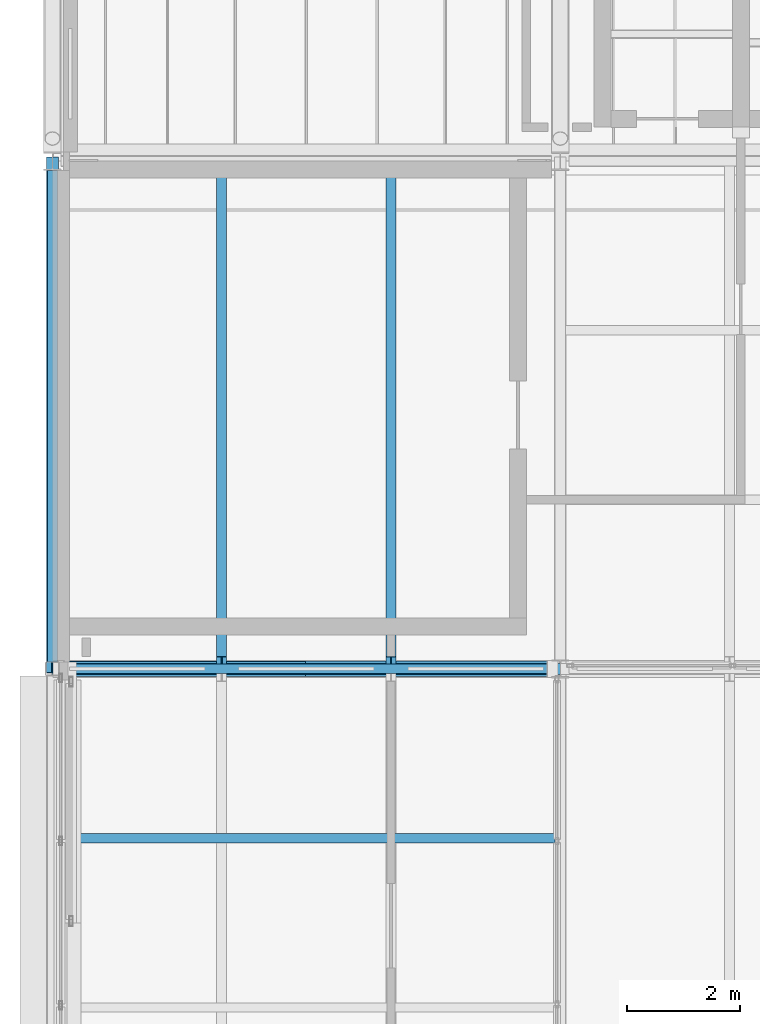
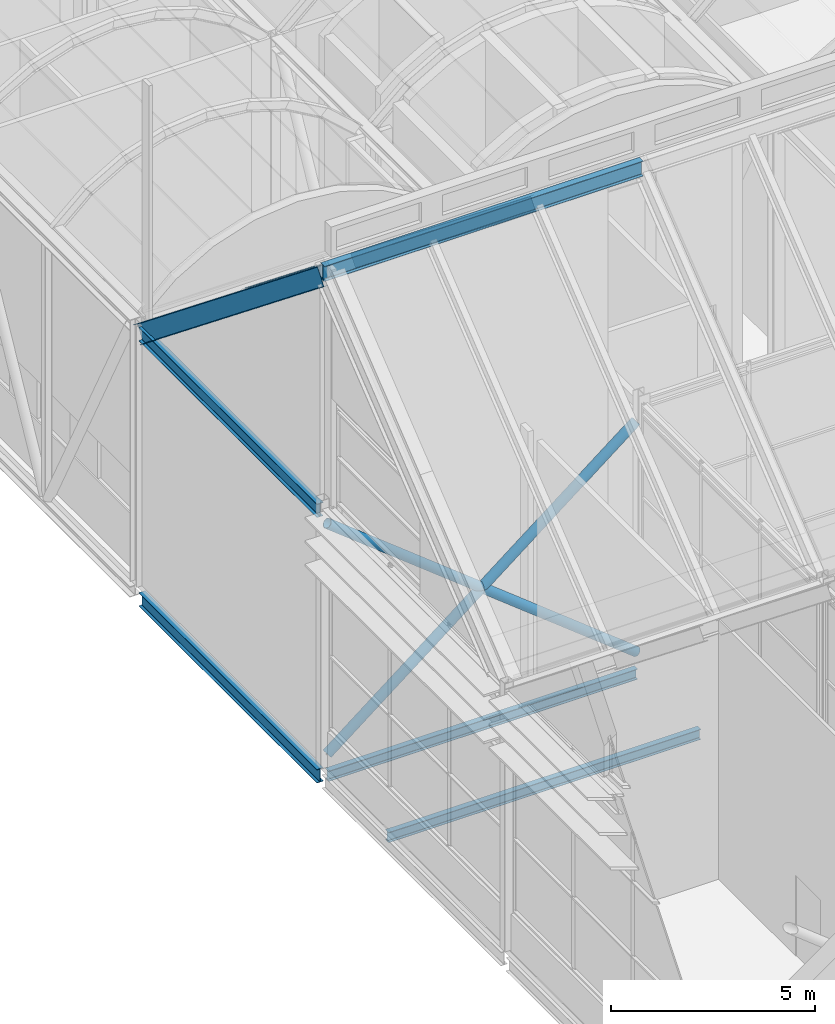
# One storey, part 40 of 144: 5 beams, 5 members.
"""IFC4 building model written with IfcOpenShell, lengths in metres."""

import ifcopenshell
import ifcopenshell.guid

model = None  # the IFC model being written
_history = None  # IfcOwnerHistory: only IFC2X3 demands one
_inside = {}  # id of a spatial element -> (the spatial element, [elements in it])
_under = {}  # id of a project, library or spatial element -> (it, [spatial elements below it])
_declared = {}  # id of a project -> (the project, [libraries it declares])
_typed = {}  # id of a type object -> (the type object, [elements of that type])
_made_of = {}  # id of a material, layer set ... -> (it, [elements and type objects made of it])


def new_model(schema):
    """Start an empty IFC model of exactly this schema.

    Asked for "IFC4X3", IfcOpenShell would pick the latest addendum, in which some entities
    have other attributes; the version numbers below select the first issue.
    IFC2X3 requires an IfcOwnerHistory on every rooted entity: one is made here for all.
    """
    global model, _history
    if schema == "IFC4X3":
        model = ifcopenshell.file(schema_version=(4, 3, 0, 0))
    else:
        model = ifcopenshell.file(schema=schema)
    _inside.clear()
    _under.clear()
    _declared.clear()
    _typed.clear()
    _made_of.clear()
    _history = None
    if model.schema == "IFC2X3":
        org = make("IfcOrganization", Name="unknown")
        user = make(
            "IfcPersonAndOrganization",
            ThePerson=make("IfcPerson", FamilyName="unknown"),
            TheOrganization=org,
        )
        app = make(
            "IfcApplication",
            ApplicationDeveloper=org,
            Version="unknown",
            ApplicationFullName="unknown",
            ApplicationIdentifier="unknown",
        )
        _history = make(
            "IfcOwnerHistory",
            OwningUser=user,
            OwningApplication=app,
            ChangeAction="ADDED",
            CreationDate=0,
        )
    return model


def make(cls, **values):
    """One entity of the class cls with the attributes given. An attribute that is None is left unset."""
    return model.create_entity(
        cls, **{name: value for name, value in values.items() if value is not None}
    )


def rooted(cls, **values):
    """An entity with a GlobalId (a new one), such as an element, a storey or a relation."""
    return make(cls, GlobalId=ifcopenshell.guid.new(), OwnerHistory=_history, **values)


def si_unit(unit_type, name, prefix=None):
    """IfcSIUnit, for example si_unit("LENGTHUNIT", "METRE", prefix="MILLI")."""
    return make("IfcSIUnit", UnitType=unit_type, Prefix=prefix, Name=name)


def assignment(units):
    """IfcUnitAssignment: the units of a project."""
    return None if units is None else make("IfcUnitAssignment", Units=units)


def point(xyz):
    """IfcCartesianPoint."""
    return None if xyz is None else make("IfcCartesianPoint", Coordinates=xyz)


def direction(xyz):
    """IfcDirection."""
    return None if xyz is None else make("IfcDirection", DirectionRatios=xyz)


def frame(location, z_axis=None, x_axis=None):
    """IfcAxis2Placement3D, a coordinate frame: its origin and axes. An axis left out is left unset."""
    return make(
        "IfcAxis2Placement3D",
        Location=point(location),
        Axis=direction(z_axis),
        RefDirection=direction(x_axis),
    )


def frame_2d(location, x_axis=None):
    """IfcAxis2Placement2D, a coordinate frame in the plane: its origin and x axis."""
    return make(
        "IfcAxis2Placement2D", Location=point(location), RefDirection=direction(x_axis)
    )


def origin():
    """The frame at (0, 0, 0) with its axes left unset."""
    return frame((0.0, 0.0, 0.0))


def origin_2d():
    """The frame at (0, 0) in the plane with its x axis left unset."""
    return frame_2d((0.0, 0.0))


def place(relative_to, where):
    """IfcLocalPlacement: puts the frame where relative to a parent placement (None: the world)."""
    return make(
        "IfcLocalPlacement", PlacementRelTo=relative_to, RelativePlacement=where
    )


def context(
    kind, dimensions, precision=None, world=None, true_north=None, identifier=None
):
    """IfcGeometricRepresentationContext, for example the 3D "Model" context."""
    return make(
        "IfcGeometricRepresentationContext",
        ContextIdentifier=identifier,
        ContextType=kind,
        CoordinateSpaceDimension=dimensions,
        Precision=precision,
        WorldCoordinateSystem=world,
        TrueNorth=true_north,
    )


def subcontext(parent, identifier, kind, view, scale=None):
    """IfcGeometricRepresentationSubContext, for example "Body" below "Model"."""
    return make(
        "IfcGeometricRepresentationSubContext",
        ContextIdentifier=identifier,
        ContextType=kind,
        ParentContext=parent,
        TargetScale=scale,
        TargetView=view,
    )


def project(units=None, contexts=None):
    """IfcProject with its units and contexts."""
    return rooted(
        "IfcProject",
        Name="project",
        RepresentationContexts=contexts,
        UnitsInContext=assignment(units),
    )


def spatial(cls, under=None, at=None, **own):
    """A site, building, storey or space (cls), placed at a placement, below another one or the project."""
    s = rooted(cls, ObjectPlacement=at, **own)
    if under is not None:
        _under.setdefault(under.id(), (under, []))[1].append(s)
    return s


def profile(cls, at=None, kind="AREA", **sizes):
    """A parametric profile (cls). Its sizes go by their IFC names, for example OverallWidth=200.0."""
    return make(cls, ProfileType=kind, Position=at, **sizes)


def hollow_circle(**sizes):
    """IfcCircleHollowProfileDef."""
    return profile("IfcCircleHollowProfileDef", **sizes)


def i_section(**sizes):
    """IfcIShapeProfileDef."""
    return profile("IfcIShapeProfileDef", **sizes)


def extrude(swept, where, along, depth):
    """IfcExtrudedAreaSolid: the profile swept, set in the frame where, extruded along a direction by depth."""
    return make(
        "IfcExtrudedAreaSolid",
        SweptArea=swept,
        Position=where,
        ExtrudedDirection=direction(along),
        Depth=depth,
    )


def shape(context_of_items, identifier, shape_type, items):
    """IfcShapeRepresentation: the items that make up one representation, for example the "Body"."""
    return make(
        "IfcShapeRepresentation",
        ContextOfItems=context_of_items,
        RepresentationIdentifier=identifier,
        RepresentationType=shape_type,
        Items=items,
    )


def material(Name=None, Category=None):
    """IfcMaterial."""
    return make("IfcMaterial", Name=Name, Category=Category)


def material_profile(
    of_material, cross_section, Name=None, Category=None, Priority=None
):
    """IfcMaterialProfile: a cross section and its material."""
    return make(
        "IfcMaterialProfile",
        Name=Name,
        Material=of_material,
        Profile=cross_section,
        Priority=Priority,
        Category=Category,
    )


def profile_set(profiles, Name=None, composite=None):
    """IfcMaterialProfileSet."""
    return make(
        "IfcMaterialProfileSet",
        Name=Name,
        MaterialProfiles=profiles,
        CompositeProfile=composite,
    )


def made_of(thing, what):
    """Note that an element or type object is made of a material, layer set ...; save() writes the relation."""
    if what is not None:
        _made_of.setdefault(what.id(), (what, []))[1].append(thing)
    return thing


def type_object(cls, material=None, **own):
    """A type object (cls), such as IfcWallType, which elements share."""
    return made_of(rooted(cls, **own), material)


def element(
    cls,
    number,
    at=None,
    inside=None,
    cuts=None,
    type_object=None,
    material=None,
    context=None,
    identifier="Body",
    shape_type=None,
    held_by="IfcProductDefinitionShape",
    body=None,
    shapes=None,
    **own,
):
    """One element of the class cls, such as IfcWall. Its Tag is "e" and its number.

    at: its placement. inside: the storey or other place that contains it. cuts: it is an
    opening in that element (IfcRelVoidsElement). A single representation is given by context,
    identifier, shape_type and body (its items); several are given by shapes. held_by: the class
    of the entity that holds the representations. save() writes the other relations.
    """
    e = rooted(cls, Tag="e%d" % number, ObjectPlacement=at, **own)
    if body is not None:
        shapes = [shape(context, identifier, shape_type, body)]
    if shapes is not None:
        e.Representation = make(held_by, Representations=shapes)
    if inside is not None:
        _inside.setdefault(inside.id(), (inside, []))[1].append(e)
    if cuts is not None:
        rooted(
            "IfcRelVoidsElement", RelatingBuildingElement=cuts, RelatedOpeningElement=e
        )
    if type_object is not None:
        _typed.setdefault(type_object.id(), (type_object, []))[1].append(e)
    return made_of(e, material)


def aggregate(whole, parts):
    """IfcRelAggregates: a whole, such as a stair, and the parts it consists of."""
    return rooted("IfcRelAggregates", RelatingObject=whole, RelatedObjects=parts)


def save(model, path):
    """Write the relations noted so far, then the file.

    IfcRelAggregates (storeys below a building ...), IfcRelContainedInSpatialStructure (elements
    in a storey), IfcRelDefinesByType, IfcRelAssociatesMaterial and IfcRelDeclares: one each for
    every whole, place, type object, material and project.
    """
    for whole, parts in _under.values():
        aggregate(whole, parts)
    for where, things in _inside.values():
        rooted(
            "IfcRelContainedInSpatialStructure",
            RelatedElements=things,
            RelatingStructure=where,
        )
    for kind, things in _typed.values():
        rooted("IfcRelDefinesByType", RelatedObjects=things, RelatingType=kind)
    for what, things in _made_of.values():
        rooted("IfcRelAssociatesMaterial", RelatedObjects=things, RelatingMaterial=what)
    for by, libraries in _declared.values():
        rooted("IfcRelDeclares", RelatingContext=by, RelatedDefinitions=libraries)
    model.write(path)


model = new_model("IFC4")

# Units and contexts
model_context = context("Model", 3, precision=1e-05, world=origin(), true_north=direction((0.0, 1.0)))
body_context = subcontext(model_context, "Body", "Model", "MODEL_VIEW")
ifc_project = project(units=[si_unit("LENGTHUNIT", "METRE"), si_unit("AREAUNIT", "SQUARE_METRE"), si_unit("VOLUMEUNIT", "CUBIC_METRE"), si_unit("PLANEANGLEUNIT", "RADIAN"), si_unit("MASSUNIT", "GRAM", prefix="KILO")], contexts=[model_context])

# Site, building, storey
site_placement = place(None, origin())
site = spatial("IfcSite", under=ifc_project, at=site_placement, CompositionType="ELEMENT")
building_placement = place(site_placement, origin())
building = spatial("IfcBuilding", under=site, at=building_placement, Name="Shorebreak Coast Museum", CompositionType="ELEMENT")
storey_placement = place(building_placement, frame((0.0, 0.0, 36.0)))
storey = spatial("IfcBuildingStorey", under=building, at=storey_placement, Name="L06", CompositionType="ELEMENT", Elevation=36.0)

# Beams
ifc_material_1 = material(Name="Steel Grade 300", Category="steel")
ifc_material_profile_1 = material_profile(ifc_material_1, i_section(OverallWidth=0.166015625, OverallDepth=0.30712890625, WebThickness=0.006591796875, FlangeThickness=0.01171875, FilletRadius=0.011474609375, at=origin_2d()), Name="310UB46.2")
ifc_profile_set_1 = profile_set([ifc_material_profile_1], Name="Steel Grade 300")
beam_type_1 = type_object("IfcBeamType", Name="Floor girder east-west 310UB46.2", PredefinedType="BEAM", material=ifc_profile_set_1)
beam_1_placement = place(storey_placement, frame((54.125, 81.0, -0.32861328125), z_axis=(1.0, 0.0, 0.0), x_axis=(0.0, 1.0, 0.0)))
element("IfcBeam", 1, at=beam_1_placement, inside=storey, type_object=beam_type_1, Name="Floor girder east-west L06 7K", PredefinedType="BEAM", context=body_context, shape_type="SweptSolid", body=[
    extrude(i_section(OverallWidth=0.166015625, OverallDepth=0.30712890625, WebThickness=0.006591796875, FlangeThickness=0.01171875, FilletRadius=0.011474609375, at=origin_2d()), origin(), (0.0, 0.0, 1.0), 8.721435546875),
])
ifc_material_2 = material(Name="Steel Grade 300", Category="steel")
ifc_material_profile_2 = material_profile(ifc_material_2, i_section(OverallWidth=0.177978515625, OverallDepth=0.406494140625, WebThickness=0.0078125, FlangeThickness=0.0126953125, FilletRadius=0.011474609375, at=origin_2d()), Name="410UB59.7")
ifc_profile_set_2 = profile_set([ifc_material_profile_2], Name="Steel Grade 300")
beam_type_2 = type_object("IfcBeamType", Name="Floor girder north-south 410UB59.7", PredefinedType="BEAM", material=ifc_profile_set_2)
beam_2_placement = place(storey_placement, frame((54.0, 81.125, -0.378173828125), z_axis=(0.0, 1.0, 0.0), x_axis=(-1.0, 0.0, 0.0)))
element("IfcBeam", 2, at=beam_2_placement, inside=storey, type_object=beam_type_2, Name="Floor girder north-south L06 7K", PredefinedType="BEAM", context=body_context, shape_type="SweptSolid", body=[
    extrude(i_section(OverallWidth=0.177978515625, OverallDepth=0.406494140625, WebThickness=0.0078125, FlangeThickness=0.0126953125, FilletRadius=0.011474609375, at=origin_2d()), origin(), (0.0, 0.0, 1.0), 8.71142578125),
])
ifc_material_3 = material(Name="Steel Grade 300", Category="steel")
ifc_material_profile_3 = material_profile(ifc_material_3, i_section(OverallWidth=0.1650390625, OverallDepth=0.303955078125, WebThickness=0.006103515625, FlangeThickness=0.01025390625, FilletRadius=0.011474609375, at=origin_2d()), Name="310UB40.4")
ifc_profile_set_3 = profile_set([ifc_material_profile_3], Name="Steel Grade 300")
beam_type_3 = type_object("IfcBeamType", Name="Floor joist 310UB40.4", PredefinedType="JOIST", material=ifc_profile_set_3)
beam_3_placement = place(storey_placement, frame((54.089111328125, 78.0, -0.326904296875), z_axis=(1.0, 0.0, 0.0), x_axis=(0.0, 1.0, 0.0)))
element("IfcBeam", 3, at=beam_3_placement, inside=storey, type_object=beam_type_3, Name="Floor joist L06 bay 7J at 6000 mm", PredefinedType="JOIST", context=body_context, shape_type="SweptSolid", body=[
    extrude(i_section(OverallWidth=0.1650390625, OverallDepth=0.303955078125, WebThickness=0.006103515625, FlangeThickness=0.01025390625, FilletRadius=0.011474609375, at=origin_2d()), origin(), (0.0, 0.0, 1.0), 8.8154296875),
])

# Members
ifc_material_4 = material(Name="Steel Grade 300", Category="steel")
ifc_material_profile_4 = material_profile(ifc_material_4, i_section(OverallWidth=0.177978515625, OverallDepth=0.402587890625, WebThickness=0.007568359375, FlangeThickness=0.010986328125, FilletRadius=0.011474609375, at=origin_2d()), Name="410UB53.7")
ifc_profile_set_4 = profile_set([ifc_material_profile_4], Name="Steel Grade 300")
member_type_1 = type_object("IfcMemberType", Name="Fold rafter 410UB53.7", PredefinedType="RAFTER", material=ifc_profile_set_4)
for number, where, z_axis, x_axis, name in (
    (4, (57.0, 81.094970703125, 14.610107421875), (0.0, 0.780866698312, -0.624697686459), (-1.0, 0.0, 0.0), "Fold rafter FOLD-X line 4 02"),
    (5, (60.0, 81.094970703125, 14.610107421875), (0.0, 0.780866698312, -0.624697686459), (-1.0, 0.0, 0.0), "Fold rafter FOLD-X line 4 03"),
):
    element("IfcMember", number, at=place(storey_placement, frame(where, z_axis=z_axis, x_axis=x_axis)), inside=storey, type_object=member_type_1, Name=name, PredefinedType="RAFTER", context=body_context, shape_type="SweptSolid", body=[
        extrude(i_section(OverallWidth=0.177978515625, OverallDepth=0.402587890625, WebThickness=0.007568359375, FlangeThickness=0.010986328125, FilletRadius=0.011474609375, at=origin_2d()), origin(), (0.0, 0.0, 1.0), 11.282470703125),
    ])
ifc_material_5 = material(Name="Steel Grade 300", Category="steel")
ifc_material_profile_5 = material_profile(ifc_material_5, i_section(OverallWidth=0.208984375, OverallDepth=0.5283203125, WebThickness=0.009521484375, FlangeThickness=0.01318359375, FilletRadius=0.013916015625, at=origin_2d()), Name="530UB82.0")
ifc_profile_set_5 = profile_set([ifc_material_profile_5], Name="Steel Grade 300")
member_type_2 = type_object("IfcMemberType", Name="Fold rib rafter 530UB82.0", PredefinedType="RAFTER", material=ifc_profile_set_5)
member_placement = place(storey_placement, frame((54.0, 81.094970703125, 14.52978515625), z_axis=(0.0, 0.780866698312, -0.624697686459), x_axis=(-1.0, 0.0, 0.0)))
element("IfcMember", 6, at=member_placement, inside=storey, type_object=member_type_2, Name="Fold rib rafter FOLD-X line 4 01", PredefinedType="RAFTER", context=body_context, shape_type="SweptSolid", body=[
    extrude(i_section(OverallWidth=0.208984375, OverallDepth=0.5283203125, WebThickness=0.009521484375, FlangeThickness=0.01318359375, FilletRadius=0.013916015625, at=origin_2d()), origin(), (0.0, 0.0, 1.0), 11.282470703125),
])

# Beams
ifc_material_6 = material(Name="Steel Grade 300", Category="steel")
ifc_material_profile_6 = material_profile(ifc_material_6, i_section(OverallWidth=0.177978515625, OverallDepth=0.402587890625, WebThickness=0.007568359375, FlangeThickness=0.010986328125, FilletRadius=0.011474609375, at=origin_2d()), Name="410UB53.7")
ifc_profile_set_6 = profile_set([ifc_material_profile_6], Name="Steel Grade 300")
beam_type_4 = type_object("IfcBeamType", Name="Fold rib tie 410UB53.7", PredefinedType="BEAM", material=ifc_profile_set_6)
beam_4_placement = place(storey_placement, frame((54.0, 81.125, 7.54248046875), z_axis=(0.0, 1.0, 0.0), x_axis=(-1.0, 0.0, 0.0)))
element("IfcBeam", 7, at=beam_4_placement, inside=storey, type_object=beam_type_4, Name="Fold rib tie FOLD-X rib 7 K-L", PredefinedType="BEAM", context=body_context, shape_type="SweptSolid", body=[
    extrude(i_section(OverallWidth=0.177978515625, OverallDepth=0.402587890625, WebThickness=0.007568359375, FlangeThickness=0.010986328125, FilletRadius=0.011474609375, at=origin_2d()), origin(), (0.0, 0.0, 1.0), 8.71142578125),
])
ifc_material_7 = material(Name="Steel Grade 300", Category="steel")
ifc_material_profile_7 = material_profile(ifc_material_7, i_section(OverallWidth=0.18994140625, OverallDepth=0.453857421875, WebThickness=0.008544921875, FlangeThickness=0.0126953125, FilletRadius=0.011474609375, at=origin_2d()), Name="460UB67.1")
ifc_profile_set_7 = profile_set([ifc_material_profile_7], Name="Steel Grade 300")
beam_type_5 = type_object("IfcBeamType", Name="Fold ridge beam 460UB67.1", PredefinedType="BEAM", material=ifc_profile_set_7)
beam_5_placement = place(storey_placement, frame((54.0, 81.0, 14.717041015625), z_axis=(1.0, 0.0, 0.0), x_axis=(0.0, 1.0, 0.0)))
element("IfcBeam", 8, at=beam_5_placement, inside=storey, type_object=beam_type_5, Name="Fold ridge beam FOLD-X line K bay 7K", PredefinedType="BEAM", context=body_context, shape_type="SweptSolid", body=[
    extrude(i_section(OverallWidth=0.18994140625, OverallDepth=0.453857421875, WebThickness=0.008544921875, FlangeThickness=0.0126953125, FilletRadius=0.011474609375, at=origin_2d()), origin(), (0.0, 0.0, 1.0), 9.0),
])

# Members
ifc_material_8 = material(Name="Steel Grade C350L0", Category="steel")
ifc_material_profile_8 = material_profile(ifc_material_8, hollow_circle(Radius=0.136474609375, WallThickness=0.00927734375, at=origin_2d()), Name="273.1x9.3 CHS")
ifc_profile_set_8 = profile_set([ifc_material_profile_8], Name="Steel Grade C350L0")
member_type_3 = type_object("IfcMemberType", Name="X-brace 273.1x9.3 CHS", PredefinedType="BRACE", material=ifc_profile_set_8)
for number, where, z_axis, x_axis, name in (
    (9, (54.125, 81.0, 0.300048828125), (0.785079055174, 0.0, 0.619395574029), (0.0, 1.0, 0.0), "X-brace bay 03 L06 diagonal 1"),
    (10, (62.846435546875, 81.0, 0.300048828125), (-0.785079055174, 0.0, 0.619395574029), (0.0, -1.0, 0.0), "X-brace bay 03 L06 diagonal 2"),
):
    element("IfcMember", number, at=place(storey_placement, frame(where, z_axis=z_axis, x_axis=x_axis)), inside=storey, type_object=member_type_3, Name=name, PredefinedType="BRACE", context=body_context, shape_type="SweptSolid", body=[
        extrude(hollow_circle(Radius=0.136474609375, WallThickness=0.00927734375, at=origin_2d()), origin(), (0.0, 0.0, 1.0), 11.10888671875),
    ])

save(model, "model.ifc")
